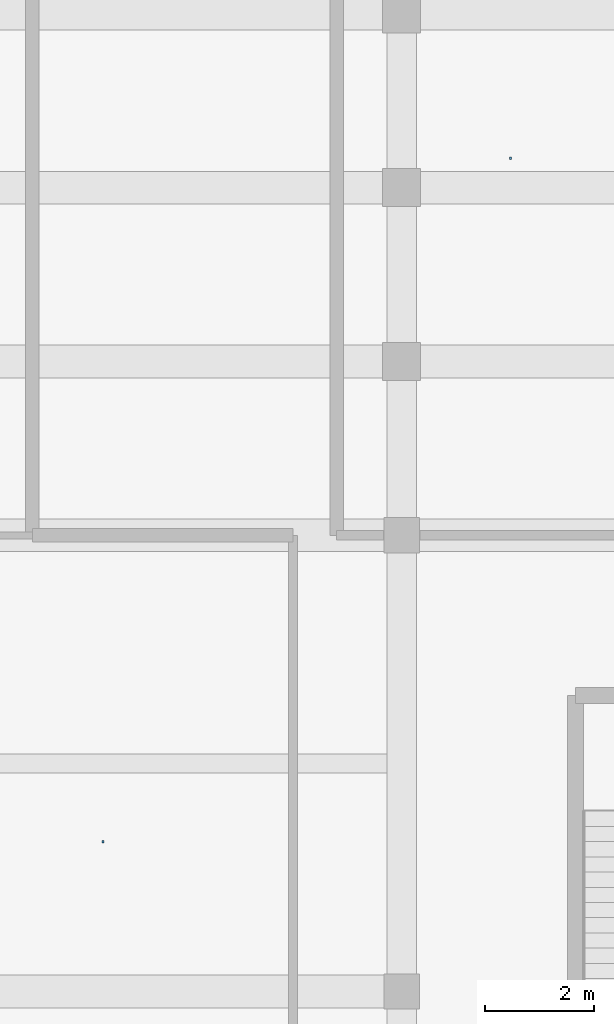
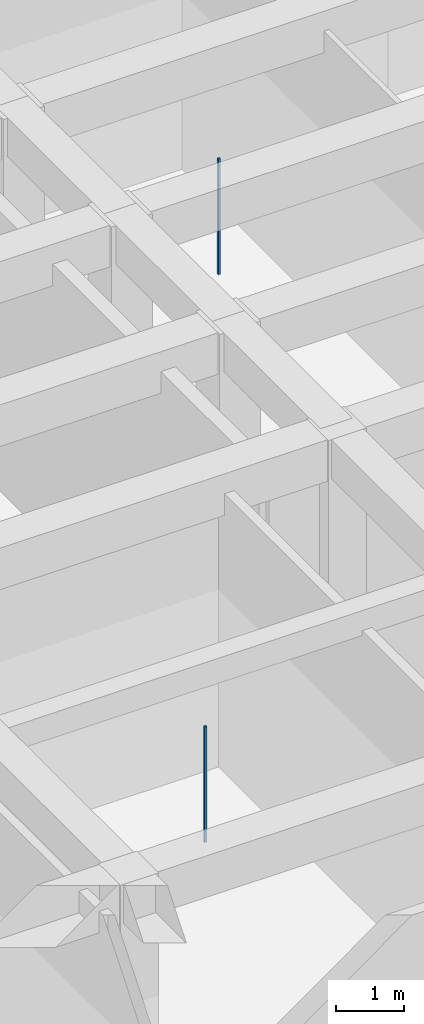
# One storey, part 134 of 167: 2 discrete accessories.
"""IFC4 building model written with IfcOpenShell, lengths in metres."""

from ifc_helpers import new_model, si_unit, direction, frame, origin, origin_2d, place, context, subcontext, project, spatial, rectangle, extrude, material, type_object, element, save


model = new_model("IFC4")

# Units and contexts
model_context = context("Model", 3, precision=1e-05, world=origin(), true_north=direction((0.0, 1.0)))
body_context = subcontext(model_context, "Body", "Model", "MODEL_VIEW")
ifc_project = project(units=[si_unit("LENGTHUNIT", "METRE"), si_unit("AREAUNIT", "SQUARE_METRE"), si_unit("VOLUMEUNIT", "CUBIC_METRE"), si_unit("PLANEANGLEUNIT", "RADIAN"), si_unit("MASSUNIT", "GRAM", prefix="KILO")], contexts=[model_context])

# Site, building, storey
site_placement = place(None, origin())
site = spatial("IfcSite", under=ifc_project, at=site_placement, CompositionType="ELEMENT")
building_placement = place(site_placement, origin())
building = spatial("IfcBuilding", under=site, at=building_placement, Name="Varncliffe General Hospital", CompositionType="ELEMENT")
storey_placement = place(building_placement, origin())
storey = spatial("IfcBuildingStorey", under=building, at=storey_placement, Name="L00", CompositionType="ELEMENT", Elevation=0.0)

# Discrete accessories
ifc_material = material(Name="Powder-coated hospital steel guardrail and handrail", Category="steel")
discrete_accessory_type = type_object("IfcDiscreteAccessoryType", Name="Suspended Ceiling Hanger Bracket CH01", PredefinedType="BRACKET", material=ifc_material)
for number, where, z_axis, x_axis, name in (
    (1, (128.89990234375, 93.95751953125, 3.18994140625), (0.0, 0.0, 1.0), (1.0, 0.0, 0.0), "L00 Suspended Ceiling Hanger 57"),
    (2, (136.39990234375, 106.54248046875, 3.18994140625), (0.0, 0.0, 1.0), (1.0, 0.0, 0.0), "L00 Suspended Ceiling Hanger 92"),
):
    element("IfcDiscreteAccessory", number, at=place(storey_placement, frame(where, z_axis=z_axis, x_axis=x_axis)), inside=storey, type_object=discrete_accessory_type, Name=name, PredefinedType="BRACKET", context=body_context, shape_type="SweptSolid", body=[
        extrude(rectangle(XDim=0.0400390625, YDim=0.0400390625, at=origin_2d()), origin(), (0.0, 0.0, 1.0), 2.090087890625),
    ])

save(model, "model.ifc")
